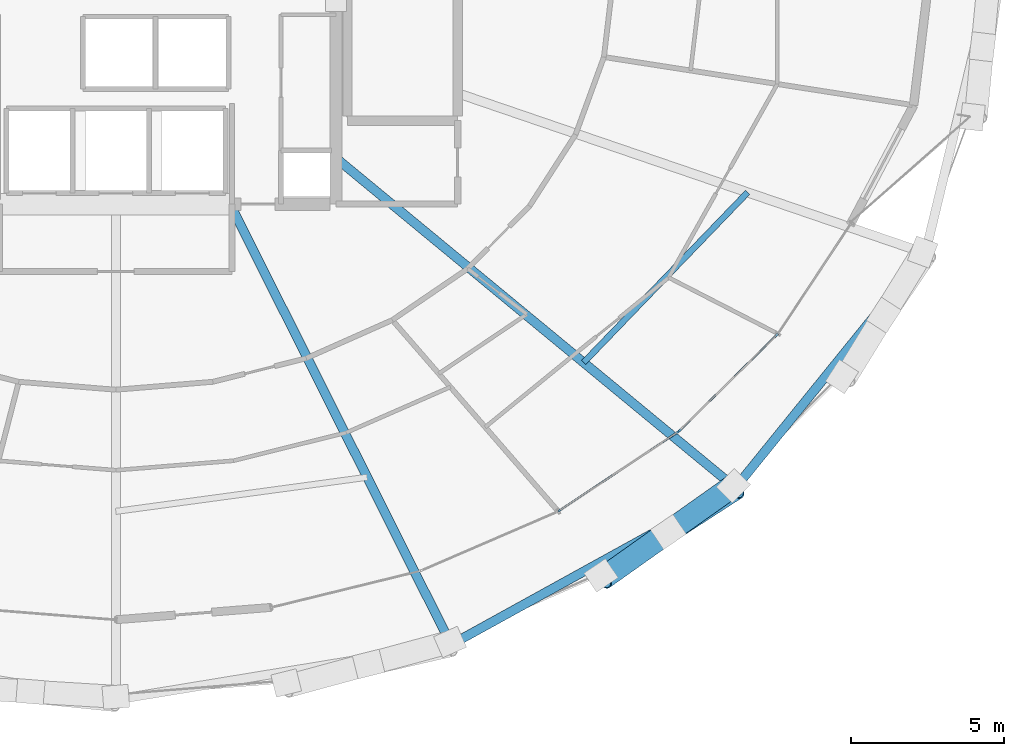
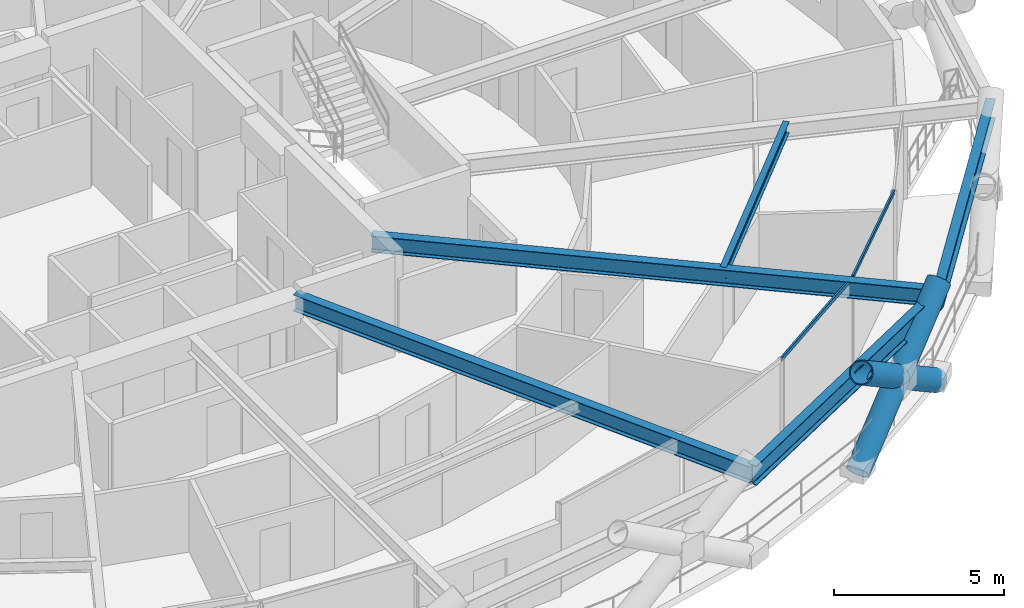
# One storey, part 7 of 17: 5 beams, 5 members, 1 element without a shape of its own.
"""IFC4 building model written with IfcOpenShell, lengths in metres."""

from ifc_helpers import new_model, si_unit, direction, frame, origin, origin_2d, place, context, subcontext, project, spatial, hollow_rectangle, hollow_circle, i_section, extrude, material, layer, layer_set, material_profile, profile_set, type_object, element, aggregate, save


model = new_model("IFC4")

# Units and contexts
model_context = context("Model", 3, precision=1e-05, world=origin(), true_north=direction((0.0, 1.0)))
body_context = subcontext(model_context, "Body", "Model", "MODEL_VIEW")
ifc_project = project(units=[si_unit("LENGTHUNIT", "METRE"), si_unit("AREAUNIT", "SQUARE_METRE"), si_unit("VOLUMEUNIT", "CUBIC_METRE"), si_unit("PLANEANGLEUNIT", "RADIAN"), si_unit("MASSUNIT", "GRAM", prefix="KILO")], contexts=[model_context])

# Site, building, storey
site_placement = place(None, origin())
site = spatial("IfcSite", under=ifc_project, at=site_placement, CompositionType="ELEMENT")
building_placement = place(site_placement, origin())
building = spatial("IfcBuilding", under=site, at=building_placement, Name="Veldorina Hangang Commons", CompositionType="ELEMENT")
storey_placement = place(building_placement, frame((0.0, 0.0, 55.60009765625)))
storey = spatial("IfcBuildingStorey", under=building, at=storey_placement, Name="L13", CompositionType="ELEMENT", Elevation=55.60009765625)

# Beams
ifc_material_1 = material(Name="Steel SM460-TMC", Category="steel")
ifc_material_profile_1 = material_profile(ifc_material_1, i_section(OverallWidth=0.300048828125, OverallDepth=0.587890625, WebThickness=0.011962890625, FlangeThickness=0.02001953125, FilletRadius=0.01806640625, at=origin_2d()), Name="H-588x300x12x20")
ifc_profile_set_1 = profile_set([ifc_material_profile_1], Name="Steel SM460-TMC")
beam_type_1 = type_object("IfcBeamType", Name="BM-FG588", PredefinedType="BEAM", material=ifc_profile_set_1)
beam_1_placement = place(storey_placement, frame((35.73828125, 16.550048828125, 3.0458984375), z_axis=(0.448473640797, -0.89379605812, 0.0), x_axis=(0.89379605812, 0.448473640797, 0.0)))
element("IfcBeam", 1, at=beam_1_placement, inside=storey, type_object=beam_type_1, Name="L13 radial floor girder 14", PredefinedType="BEAM", context=body_context, shape_type="SweptSolid", body=[
    extrude(i_section(OverallWidth=0.300048828125, OverallDepth=0.587890625, WebThickness=0.011962890625, FlangeThickness=0.02001953125, FilletRadius=0.01806640625, at=origin_2d()), origin(), (0.0, 0.0, 1.0), 16.11474609375),
])
beam_2_placement = place(storey_placement, frame((39.199951171875, 18.056396484375, 3.0458984375), z_axis=(0.771186965795, -0.636608721105, 0.0), x_axis=(0.636608721105, 0.771186965795, 0.0)))
element("IfcBeam", 2, at=beam_2_placement, inside=storey, type_object=beam_type_1, Name="L13 radial floor girder 15", PredefinedType="BEAM", context=body_context, shape_type="SweptSolid", body=[
    extrude(i_section(OverallWidth=0.300048828125, OverallDepth=0.587890625, WebThickness=0.011962890625, FlangeThickness=0.02001953125, FilletRadius=0.01806640625, at=origin_2d()), origin(), (0.0, 0.0, 1.0), 16.9365234375),
])
ifc_material_2 = material(Name="Steel SM355-TMC", Category="steel")
ifc_material_profile_2 = material_profile(ifc_material_2, i_section(OverallWidth=0.199951171875, OverallDepth=0.39990234375, WebThickness=0.008056640625, FlangeThickness=0.012939453125, FilletRadius=0.012939453125, at=origin_2d()), Name="H-400x200x8x13")
ifc_profile_set_2 = profile_set([ifc_material_profile_2], Name="Steel SM355-TMC")
beam_type_2 = type_object("IfcBeamType", Name="BM-JST400", PredefinedType="JOIST", material=ifc_profile_set_2)
beam_3_placement = place(storey_placement, frame((47.298095703125, 11.37158203125, 3.139892578125), z_axis=(0.694019215063, 0.719956477243, 0.0), x_axis=(-0.719956477243, 0.694019215063, 0.0)))
element("IfcBeam", 3, at=beam_3_placement, inside=storey, type_object=beam_type_2, Name="L13 secondary floor joist 15", PredefinedType="JOIST", context=body_context, shape_type="SweptSolid", body=[
    extrude(i_section(OverallWidth=0.199951171875, OverallDepth=0.39990234375, WebThickness=0.008056640625, FlangeThickness=0.012939453125, FilletRadius=0.012939453125, at=origin_2d()), origin(), (0.0, 0.0, 1.0), 7.727783203125),
])
ifc_material_profile_3 = material_profile(ifc_material_1, i_section(OverallWidth=0.300048828125, OverallDepth=0.699951171875, WebThickness=0.012939453125, FlangeThickness=0.02392578125, FilletRadius=0.02197265625, at=origin_2d()), Name="H-700x300x13x24")
ifc_profile_set_3 = profile_set([ifc_material_profile_3], Name="Steel SM460-TMC")
beam_type_3 = type_object("IfcBeamType", Name="BM-RB700", PredefinedType="BEAM", material=ifc_profile_set_3)
beam_4_placement = place(storey_placement, frame((42.96533203125, 2.146728515625, 2.989990234375), z_axis=(0.875620948621, 0.482998917531, 0.0), x_axis=(-0.482998917531, 0.875620948621, 0.0)))
element("IfcBeam", 4, at=beam_4_placement, inside=storey, type_object=beam_type_3, Name="L13 perimeter hoop ring beam 26", PredefinedType="BEAM", context=body_context, shape_type="SweptSolid", body=[
    extrude(i_section(OverallWidth=0.300048828125, OverallDepth=0.699951171875, WebThickness=0.012939453125, FlangeThickness=0.02392578125, FilletRadius=0.02197265625, at=origin_2d()), origin(), (0.0, 0.0, 1.0), 10.616455078125),
])
beam_5_placement = place(storey_placement, frame((52.26123046875, 7.2744140625, 2.989990234375), z_axis=(0.629166215376, 0.777270785138, 0.0), x_axis=(-0.777270785138, 0.629166215376, 0.0)))
element("IfcBeam", 5, at=beam_5_placement, inside=storey, type_object=beam_type_3, Name="L13 perimeter hoop ring beam 28", PredefinedType="BEAM", context=body_context, shape_type="SweptSolid", body=[
    extrude(i_section(OverallWidth=0.300048828125, OverallDepth=0.699951171875, WebThickness=0.012939453125, FlangeThickness=0.02392578125, FilletRadius=0.02197265625, at=origin_2d()), origin(), (0.0, 0.0, 1.0), 9.87255859375),
])

# Curtain wall, members
ifc_material_3 = material(Name="Glass Low-E Triple IGU", Category="glass")
ifc_layer = layer(ifc_material_3, 0.179931640625)
ifc_layer_set = layer_set([ifc_layer], Name="Glass Low-E Triple IGU")
curtain_wall_type = type_object("IfcCurtainWallType", Name="CW-SYS-Z1", PredefinedType="NOTDEFINED", material=ifc_layer_set)
curtain_wall_placement = place(storey_placement, origin())
curtain_wall = element("IfcCurtainWall", 6, at=curtain_wall_placement, inside=storey, type_object=curtain_wall_type, Name="L13 unitised curtain wall CW-L13-R2", PredefinedType="NOTDEFINED")
ifc_material_4 = material(Name="Aluminium Anodized AA6063-T6", Category="aluminium")
ifc_material_profile_4 = material_profile(ifc_material_4, hollow_rectangle(XDim=0.06005859375, YDim=0.139892578125, WallThickness=0.00341796875, at=origin_2d()), Name="ALU-RHS-140x60x3.5")
ifc_profile_set_4 = profile_set([ifc_material_profile_4], Name="Aluminium Anodized AA6063-T6")
member_type_1 = type_object("IfcMemberType", Name="CW-TRN-140", PredefinedType="USERDEFINED", material=ifc_profile_set_4)
member_1_placement = place(storey_placement, frame((46.46728515625, 6.50537109375, 3.260009765625), z_axis=(0.833427960138, 0.552628116603, 0.0), x_axis=(-0.552628116603, 0.833427960138, 0.0)))
member_1 = element("IfcMember", 7, at=member_1_placement, type_object=member_type_1, Name="CW-L13-R2 facet 3 transom 1", ObjectType="TRANSOM", PredefinedType="USERDEFINED", context=body_context, shape_type="SweptSolid", body=[
    extrude(hollow_rectangle(XDim=0.06005859375, YDim=0.139892578125, WallThickness=0.00341796875, at=origin_2d()), origin(), (0.0, 0.0, 1.0), 4.735107421875),
])
member_2_placement = place(storey_placement, frame((50.41357421875, 9.1220703125, 3.260009765625), z_axis=(0.712618466799, 0.701551794793, 0.0), x_axis=(-0.701551794793, 0.712618466799, 0.0)))
member_2 = element("IfcMember", 8, at=member_2_placement, type_object=member_type_1, Name="CW-L13-R2 facet 4 transom 1", ObjectType="TRANSOM", PredefinedType="USERDEFINED", context=body_context, shape_type="SweptSolid", body=[
    extrude(hollow_rectangle(XDim=0.06005859375, YDim=0.139892578125, WallThickness=0.00341796875, at=origin_2d()), origin(), (0.0, 0.0, 1.0), 4.54443359375),
])
aggregate(curtain_wall, [member_1, member_2])

# Members
ifc_material_profile_5 = material_profile(ifc_material_1, hollow_circle(Radius=0.375, WallThickness=0.035888671875, at=origin_2d()), Name="CHS-750x36")
ifc_profile_set_5 = profile_set([ifc_material_profile_5], Name="Steel SM460-TMC")
member_type_2 = type_object("IfcMemberType", Name="DG-CHS750", PredefinedType="BRACE", material=ifc_profile_set_5)
member_3_placement = place(storey_placement, frame((47.867431640625, 4.409912109375, 0.0), z_axis=(0.692432972152, 0.447941072944, 0.565584100065), x_axis=(-0.54316256274, 0.839627554597, 0.0)))
element("IfcMember", 9, at=member_3_placement, inside=storey, type_object=member_type_2, Name="L13 continuous perimeter diagrid brace 27", PredefinedType="BRACE", context=body_context, shape_type="SweptSolid", body=[
    extrude(hollow_circle(Radius=0.375, WallThickness=0.035888671875, at=origin_2d()), origin(), (0.0, 0.0, 1.0), 6.36474609375),
])
member_4_placement = place(storey_placement, frame((52.195556640625, 7.340087890625, 0.0), z_axis=(-0.672216016359, -0.475969946223, 0.567078687347), x_axis=(0.577869330947, -0.816129301245, 0.0)))
element("IfcMember", 10, at=member_4_placement, inside=storey, type_object=member_type_2, Name="L13 split perimeter diagrid lower brace 28", PredefinedType="BRACE", context=body_context, shape_type="SweptSolid", body=[
    extrude(hollow_circle(Radius=0.375, WallThickness=0.035888671875, at=origin_2d()), origin(), (0.0, 0.0, 1.0), 3.16748046875),
])
member_5_placement = place(storey_placement, frame((50.06640625, 5.83251953125, 1.796142578125), z_axis=(-0.671802595967, -0.476525424561, 0.567102099977), x_axis=(0.578555053194, -0.815643335302, 0.0)))
element("IfcMember", 11, at=member_5_placement, inside=storey, type_object=member_type_2, Name="L13 split perimeter diagrid upper brace 28", PredefinedType="BRACE", context=body_context, shape_type="SweptSolid", body=[
    extrude(hollow_circle(Radius=0.375, WallThickness=0.035888671875, at=origin_2d()), origin(), (0.0, 0.0, 1.0), 3.1806640625),
])

save(model, "model.ifc")
